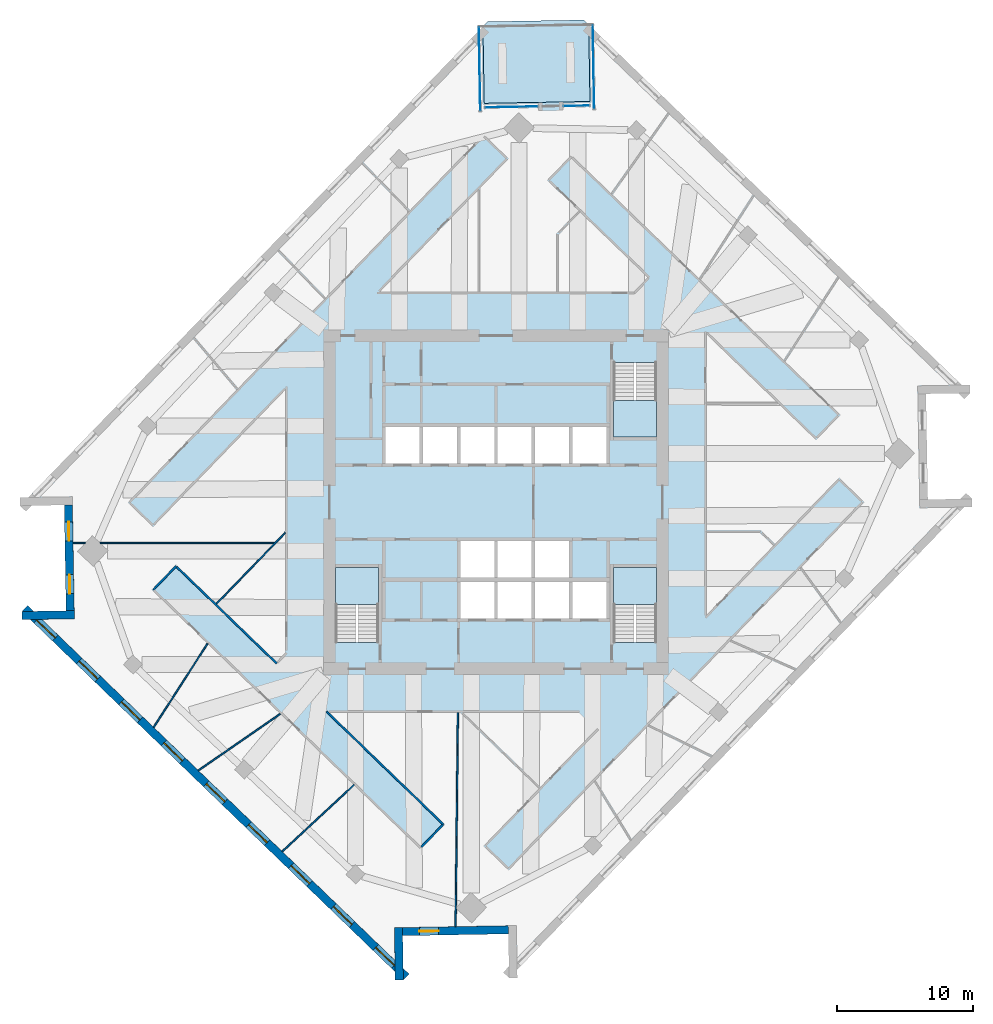
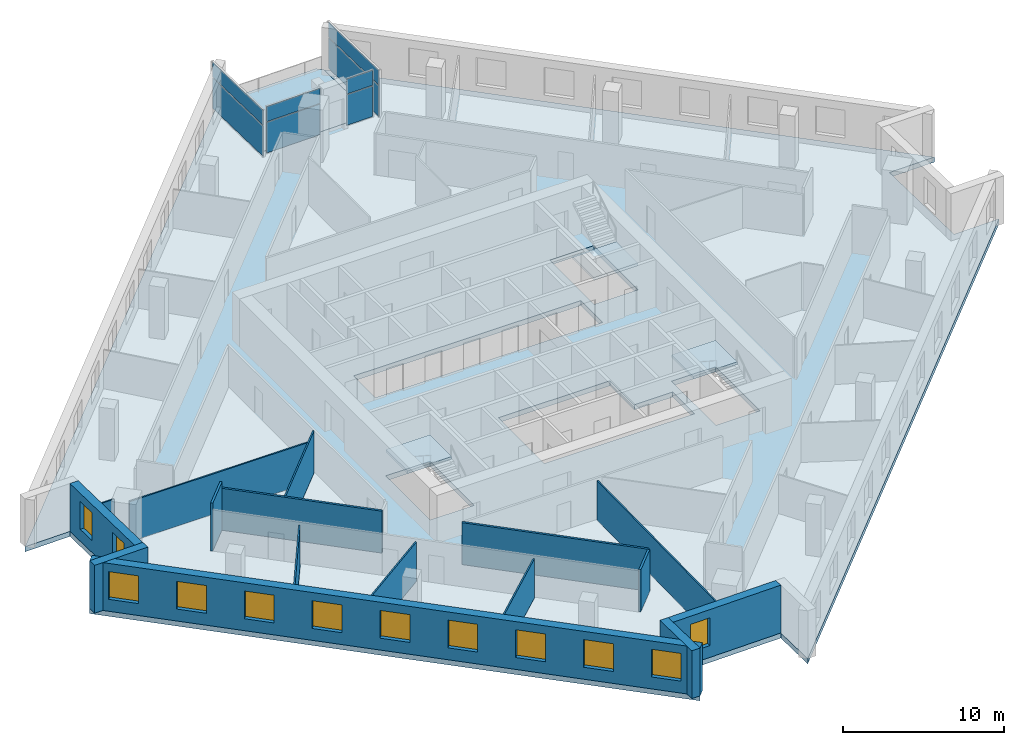
# One storey, part 5 of 13: 16 walls, 12 windows, 8 plates, 5 slabs, 12 openings, 7 elements without a shape of their own.
"""IFC4 building model written with IfcOpenShell, lengths in metres."""

from ifc_helpers import new_model, si_unit, direction, frame, frame_2d, origin, origin_2d, place, context, subcontext, project, spatial, polyline, rectangle, outline, extrude, material, layer, layer_set, type_object, element, fill, aggregate, save


model = new_model("IFC4")

# Units and contexts
model_context = context("Model", 3, precision=1e-05, world=origin(), true_north=direction((0.0, 1.0)))
body_context = subcontext(model_context, "Body", "Model", "MODEL_VIEW")
ifc_project = project(units=[si_unit("LENGTHUNIT", "METRE"), si_unit("AREAUNIT", "SQUARE_METRE"), si_unit("VOLUMEUNIT", "CUBIC_METRE"), si_unit("PLANEANGLEUNIT", "RADIAN"), si_unit("MASSUNIT", "GRAM", prefix="KILO")], contexts=[model_context])

# Site, building, storey
site_placement = place(None, origin())
site = spatial("IfcSite", under=ifc_project, at=site_placement, CompositionType="ELEMENT")
building_placement = place(site_placement, origin())
building = spatial("IfcBuilding", under=site, at=building_placement, Name="Dilmun Exchange Tower", CompositionType="ELEMENT")
storey_placement = place(building_placement, frame((0.0, 0.0, 213.300048828125)))
storey = spatial("IfcBuildingStorey", under=building, at=storey_placement, Name="L50", CompositionType="ELEMENT", Elevation=213.300048828125)

# Stair, slab
ifc_material_1 = material(Name="Concrete C40/50", Category="concrete")
stair_type = type_object("IfcStairType", Name="Exit stair 1500 half-turn", PredefinedType="HALF_TURN_STAIR", material=ifc_material_1)
stair_1_placement = place(storey_placement, origin())
stair_1 = element("IfcStair", 1, at=stair_1_placement, inside=storey, type_object=stair_type, Name="L50 Protected exit stair ST1", PredefinedType="HALF_TURN_STAIR")
ifc_layer_1 = layer(ifc_material_1, 0.199951171875)
ifc_layer_set_1 = layer_set([ifc_layer_1], Name="Concrete C40/50")
slab_type_1 = type_object("IfcSlabType", Name="Exit stair landing 200", PredefinedType="LANDING", material=ifc_layer_set_1)
slab_1_placement = place(storey_placement, frame((0.0, 0.0, 1.800048828125)))
slab_1 = element("IfcSlab", 2, at=slab_1_placement, type_object=slab_type_1, Name="ST1 landing 1", PredefinedType="LANDING", context=body_context, shape_type="SweptSolid", body=[
    extrude(outline(polyline([(8.64990234375, 7.5), (8.64990234375, 4.800048828125), (11.800048828125, 4.800048828125), (11.800048828125, 7.5), (8.64990234375, 7.5)])), origin(), (0.0, 0.0, 1.0), 0.199951171875),
])
aggregate(stair_1, [slab_1])

stair_2_placement = place(storey_placement, origin())
stair_2 = element("IfcStair", 3, at=stair_2_placement, inside=storey, type_object=stair_type, Name="L50 Protected exit stair ST2", PredefinedType="HALF_TURN_STAIR")
slab_2_placement = place(storey_placement, frame((0.0, 0.0, 1.800048828125)))
slab_2 = element("IfcSlab", 4, at=slab_2_placement, type_object=slab_type_1, Name="ST2 landing 1", PredefinedType="LANDING", context=body_context, shape_type="SweptSolid", body=[
    extrude(outline(polyline([(-8.64990234375, -7.5), (-8.64990234375, -4.800048828125), (-11.800048828125, -4.800048828125), (-11.800048828125, -7.5), (-8.64990234375, -7.5)])), origin(), (0.0, 0.0, 1.0), 0.199951171875),
])
aggregate(stair_2, [slab_2])

stair_3_placement = place(storey_placement, origin())
stair_3 = element("IfcStair", 5, at=stair_3_placement, inside=storey, type_object=stair_type, Name="L50 Protected exit stair ST3", PredefinedType="HALF_TURN_STAIR")
slab_3_placement = place(storey_placement, frame((0.0, 0.0, 1.800048828125)))
slab_3 = element("IfcSlab", 6, at=slab_3_placement, type_object=slab_type_1, Name="ST3 landing 1", PredefinedType="LANDING", context=body_context, shape_type="SweptSolid", body=[
    extrude(outline(polyline([(11.800048828125, -7.5), (11.800048828125, -4.800048828125), (8.64990234375, -4.800048828125), (8.64990234375, -7.5), (11.800048828125, -7.5)])), origin(), (0.0, 0.0, 1.0), 0.199951171875),
])
aggregate(stair_3, [slab_3])

# Curtain wall, plates
ifc_material_2 = material(Name="Anodised aluminium and clear glass", Category="aluminium")
curtain_wall_type = type_object("IfcCurtainWallType", Name="Garden corner glazing", PredefinedType="NOTDEFINED", material=ifc_material_2)
curtain_wall_1_placement = place(storey_placement, origin())
curtain_wall_1 = element("IfcCurtainWall", 7, at=curtain_wall_1_placement, inside=storey, type_object=curtain_wall_type, Name="Garden corner glazing run GC1.1", PredefinedType="NOTDEFINED")
ifc_material_3 = material(Name="Clear glass", Category="glass")
ifc_layer_2 = layer(ifc_material_3, 0.028076171875)
ifc_layer_set_2 = layer_set([ifc_layer_2], Name="Clear glass")
plate_type = type_object("IfcPlateType", Name="Garden corner glazing glass panel 28", PredefinedType="CURTAIN_PANEL", material=ifc_layer_set_2)
plate_1_placement = place(storey_placement, frame((7.1669921875, 32.008544921875, 0.059814453125), z_axis=(0.0, 0.0, 1.0), x_axis=(0.017449908501, -0.999847738755, 0.0)))
plate_1 = element("IfcPlate", 8, at=plate_1_placement, type_object=plate_type, Name="GC1.1 panel 1.1", PredefinedType="CURTAIN_PANEL", context=body_context, shape_type="SweptSolid", body=[
    extrude(rectangle(XDim=6.12646484375, YDim=0.028076171875, at=origin_2d()), origin(), (0.0, 0.0, 1.0), 2.31005859375),
])
plate_2_placement = place(storey_placement, frame((7.1669921875, 32.008544921875, 2.429931640625), z_axis=(0.0, 0.0, 1.0), x_axis=(0.017449908501, -0.999847738755, 0.0)))
plate_2 = element("IfcPlate", 9, at=plate_2_placement, type_object=plate_type, Name="GC1.1 panel 1.2", PredefinedType="CURTAIN_PANEL", context=body_context, shape_type="SweptSolid", body=[
    extrude(rectangle(XDim=6.12646484375, YDim=0.028076171875, at=origin_2d()), origin(), (0.0, 0.0, 1.0), 1.1298828125),
])
aggregate(curtain_wall_1, [plate_1, plate_2])

curtain_wall_2_placement = place(storey_placement, origin())
curtain_wall_2 = element("IfcCurtainWall", 10, at=curtain_wall_2_placement, inside=storey, type_object=curtain_wall_type, Name="Garden corner glazing run GC2.1", PredefinedType="NOTDEFINED")
plate_3_placement = place(storey_placement, frame((5.922119140625, 29.1630859375, 0.059814453125), z_axis=(0.0, 0.0, 1.0), x_axis=(-0.999847823501, -0.017445052024, 0.0)))
plate_3 = element("IfcPlate", 11, at=plate_3_placement, type_object=plate_type, Name="GC2.1 panel 1.1", PredefinedType="CURTAIN_PANEL", context=body_context, shape_type="SweptSolid", body=[
    extrude(rectangle(XDim=1.869140625, YDim=0.028076171875, at=origin_2d()), origin(), (0.0, 0.0, 1.0), 2.31005859375),
])
plate_4_placement = place(storey_placement, frame((5.922119140625, 29.1630859375, 2.429931640625), z_axis=(0.0, 0.0, 1.0), x_axis=(-0.999847823501, -0.017445052024, 0.0)))
plate_4 = element("IfcPlate", 12, at=plate_4_placement, type_object=plate_type, Name="GC2.1 panel 1.2", PredefinedType="CURTAIN_PANEL", context=body_context, shape_type="SweptSolid", body=[
    extrude(rectangle(XDim=1.869140625, YDim=0.028076171875, at=origin_2d()), origin(), (0.0, 0.0, 1.0), 1.1298828125),
])
aggregate(curtain_wall_2, [plate_3, plate_4])

curtain_wall_3_placement = place(storey_placement, origin())
curtain_wall_3 = element("IfcCurtainWall", 13, at=curtain_wall_3_placement, inside=storey, type_object=curtain_wall_type, Name="Garden corner glazing run GC2.3", PredefinedType="NOTDEFINED")
plate_5_placement = place(storey_placement, frame((1.133544921875, 29.07958984375, 0.059814453125), z_axis=(0.0, 0.0, 1.0), x_axis=(-0.999847342934, -0.017472573608, 0.0)))
plate_5 = element("IfcPlate", 14, at=plate_5_placement, type_object=plate_type, Name="GC2.3 panel 1.1", PredefinedType="CURTAIN_PANEL", context=body_context, shape_type="SweptSolid", body=[
    extrude(rectangle(XDim=3.869140625, YDim=0.028076171875, at=origin_2d()), origin(), (0.0, 0.0, 1.0), 2.31005859375),
])
plate_6_placement = place(storey_placement, frame((1.133544921875, 29.07958984375, 2.429931640625), z_axis=(0.0, 0.0, 1.0), x_axis=(-0.999847342934, -0.017472573608, 0.0)))
plate_6 = element("IfcPlate", 15, at=plate_6_placement, type_object=plate_type, Name="GC2.3 panel 1.2", PredefinedType="CURTAIN_PANEL", context=body_context, shape_type="SweptSolid", body=[
    extrude(rectangle(XDim=3.869140625, YDim=0.028076171875, at=origin_2d()), origin(), (0.0, 0.0, 1.0), 1.1298828125),
])
aggregate(curtain_wall_3, [plate_5, plate_6])

curtain_wall_4_placement = place(storey_placement, origin())
curtain_wall_4 = element("IfcCurtainWall", 16, at=curtain_wall_4_placement, inside=storey, type_object=curtain_wall_type, Name="Garden corner glazing run GC3.1", PredefinedType="NOTDEFINED")
plate_7_placement = place(storey_placement, frame((-1.209716796875, 31.8623046875, 0.059814453125), z_axis=(0.0, 0.0, 1.0), x_axis=(-0.017450187816, 0.99984773388, 0.0)))
plate_7 = element("IfcPlate", 17, at=plate_7_placement, type_object=plate_type, Name="GC3.1 panel 1.1", PredefinedType="CURTAIN_PANEL", context=body_context, shape_type="SweptSolid", body=[
    extrude(rectangle(XDim=6.12646484375, YDim=0.028076171875, at=origin_2d()), origin(), (0.0, 0.0, 1.0), 2.31005859375),
])
plate_8_placement = place(storey_placement, frame((-1.209716796875, 31.8623046875, 2.429931640625), z_axis=(0.0, 0.0, 1.0), x_axis=(-0.017450187816, 0.99984773388, 0.0)))
plate_8 = element("IfcPlate", 18, at=plate_8_placement, type_object=plate_type, Name="GC3.1 panel 1.2", PredefinedType="CURTAIN_PANEL", context=body_context, shape_type="SweptSolid", body=[
    extrude(rectangle(XDim=6.12646484375, YDim=0.028076171875, at=origin_2d()), origin(), (0.0, 0.0, 1.0), 1.1298828125),
])
aggregate(curtain_wall_4, [plate_7, plate_8])

# Slabs
ifc_layer_3 = layer(ifc_material_1, 0.3798828125)
ifc_layer_set_3 = layer_set([ifc_layer_3], Name="Concrete C40/50")
slab_type_2 = type_object("IfcSlabType", Name="RC floor slab 380", PredefinedType="FLOOR", material=ifc_layer_set_3)
slab_4_placement = place(storey_placement, frame((0.0, 0.0, -0.380126953125)))
element("IfcSlab", 19, at=slab_4_placement, inside=storey, type_object=slab_type_2, Name="Floor slab", PredefinedType="FLOOR", context=body_context, shape_type="SweptSolid", body=[
    extrude(outline(polyline([(31.620849609375, 7.977783203125), (31.756591796875, 0.20068359375), (35.002685546875, 0.25732421875), (0.96435546875, -34.990234375), (0.90771484375, -31.744384765625), (-6.869384765625, -31.880126953125), (-6.8125, -35.1259765625), (-34.866943359375, -8.034423828125), (-31.620849609375, -7.977783203125), (-31.756591796875, -0.20068359375), (-35.002685546875, -0.25732421875), (-0.96435546875, 34.990234375), (-0.86572265625, 29.3447265625), (6.9111328125, 29.48046875), (6.8125, 35.1259765625), (34.866943359375, 8.034423828125), (31.620849609375, 7.977783203125)]), holes=[polyline([(-8.64990234375, -4.800048828125), (-11.800048828125, -4.800048828125), (-11.800048828125, -10.294921875), (-8.64990234375, -10.294921875), (-8.64990234375, -4.800048828125)]), polyline([(11.800048828125, -4.800048828125), (8.64990234375, -4.800048828125), (8.64990234375, -10.294921875), (11.800048828125, -10.294921875), (11.800048828125, -4.800048828125)]), polyline([(5.375, -2.85009765625), (-2.625, -2.85009765625), (-2.625, -8.550048828125), (8.125, -8.550048828125), (8.125, -5.85009765625), (5.375, -5.85009765625), (5.375, -2.85009765625)]), polyline([(8.125, 2.85009765625), (8.125, 5.550048828125), (-8.125, 5.550048828125), (-8.125, 2.85009765625), (8.125, 2.85009765625)]), polyline([(8.64990234375, 10.294921875), (8.64990234375, 4.800048828125), (11.800048828125, 4.800048828125), (11.800048828125, 10.294921875), (8.64990234375, 10.294921875)])]), origin(), (0.0, 0.0, 1.0), 0.380126953125),
])
ifc_layer_4 = layer(ifc_material_1, 0.300048828125)
ifc_layer_set_4 = layer_set([ifc_layer_4], Name="Concrete C40/50")
slab_type_3 = type_object("IfcSlabType", Name="RC garden terrace slab 300", PredefinedType="FLOOR", material=ifc_layer_set_4)
slab_5_placement = place(storey_placement, frame((0.0, 0.0, -0.300048828125)))
element("IfcSlab", 20, at=slab_5_placement, inside=storey, type_object=slab_type_3, Name="Garden terrace slab", PredefinedType="FLOOR", context=body_context, shape_type="SweptSolid", body=[
    extrude(outline(polyline([(-0.86572265625, 29.3447265625), (-0.96435546875, 34.990234375), (-0.616943359375, 35.35009765625), (6.452880859375, 35.473388671875), (6.8125, 35.1259765625), (6.9111328125, 29.48046875), (-0.86572265625, 29.3447265625)])), origin(), (0.0, 0.0, 1.0), 0.300048828125),
])

# Walls
ifc_material_4 = material(Name="Corridor wall 150")
ifc_layer_5 = layer(ifc_material_4, 0.14990234375)
ifc_layer_set_5 = layer_set([ifc_layer_5], Name="Corridor wall 150")
wall_type_1 = type_object("IfcWallType", Name="Corridor wall 150", PredefinedType="PARTITIONING", material=ifc_layer_set_5)
wall_1_placement = place(storey_placement, frame((-25.205078125, -6.427001953125, 0.0), z_axis=(0.0, 0.0, 1.0), x_axis=(0.694688923552, 0.719310294305, 0.0)))
element("IfcWall", 21, at=wall_1_placement, inside=storey, type_object=wall_type_1, Name="Corridor wall", PredefinedType="PARTITIONING", context=body_context, shape_type="SweptSolid", body=[
    extrude(rectangle(XDim=2.399658203125, YDim=0.14990234375, at=frame_2d((1.19970703125, 0.0))), origin(), (0.0, 0.0, 1.0), 3.619873046875),
])
wall_2_placement = place(storey_placement, frame((-23.48388671875, -4.753173828125, 0.0), z_axis=(0.0, 0.0, 1.0), x_axis=(0.719330221059, -0.694668289956, 0.0)))
element("IfcWall", 22, at=wall_2_placement, inside=storey, type_object=wall_type_1, Name="Corridor wall", PredefinedType="PARTITIONING", context=body_context, shape_type="SweptSolid", body=[
    extrude(rectangle(XDim=10.21630859375, YDim=0.14990234375, at=frame_2d((5.108154296875, 0.0))), origin(), (0.0, 0.0, 1.0), 3.169921875),
])
wall_3_placement = place(storey_placement, frame((-12.458984375, -15.39990234375, 0.0), z_axis=(0.0, 0.0, 1.0), x_axis=(0.719357740032, -0.694639792883, 0.0)))
element("IfcWall", 23, at=wall_3_placement, inside=storey, type_object=wall_type_1, Name="Corridor wall", PredefinedType="PARTITIONING", context=body_context, shape_type="SweptSolid", body=[
    extrude(rectangle(XDim=11.931396484375, YDim=0.14990234375, at=frame_2d((5.9658203125, 0.0))), origin(), (0.0, 0.0, 1.0), 3.169921875),
])
wall_4_placement = place(storey_placement, frame((-5.490966796875, -25.360107421875, 0.0), z_axis=(0.0, 0.0, 1.0), x_axis=(0.694737811608, 0.719263076435, 0.0)))
element("IfcWall", 24, at=wall_4_placement, inside=storey, type_object=wall_type_1, Name="Corridor wall", PredefinedType="PARTITIONING", context=body_context, shape_type="SweptSolid", body=[
    extrude(rectangle(XDim=2.249755859375, YDim=0.14990234375, at=frame_2d((1.125, 0.0))), origin(), (0.0, 0.0, 1.0), 3.169921875),
])
ifc_material_5 = material(Name="Partition 100")
ifc_layer_6 = layer(ifc_material_5, 0.10009765625)
ifc_layer_set_6 = layer_set([ifc_layer_6], Name="Partition 100")
wall_type_2 = type_object("IfcWallType", Name="Partition 100", PredefinedType="PARTITIONING", material=ifc_layer_set_6)
wall_5_placement = place(storey_placement, frame((-31.105712890625, -2.9951171875, 0.0), z_axis=(0.0, 0.0, 1.0), x_axis=(1.0, 0.0, 0.0)))
element("IfcWall", 25, at=wall_5_placement, inside=storey, type_object=wall_type_2, Name="Partition", PredefinedType="PARTITIONING", context=body_context, shape_type="SweptSolid", body=[
    extrude(rectangle(XDim=0.900634765625, YDim=0.10009765625, at=frame_2d((0.4501953125, 0.0))), origin(), (0.0, 0.0, 1.0), 3.619873046875),
])
wall_6_placement = place(storey_placement, frame((-29.115478515625, -2.9951171875, 0.0), z_axis=(0.0, 0.0, 1.0), x_axis=(1.0, 0.0, 0.0)))
element("IfcWall", 26, at=wall_6_placement, inside=storey, type_object=wall_type_2, Name="Partition", PredefinedType="PARTITIONING", context=body_context, shape_type="SweptSolid", body=[
    extrude(rectangle(XDim=12.76171875, YDim=0.10009765625, at=frame_2d((6.380859375, 0.0))), origin(), (0.0, 0.0, 1.0), 3.050048828125),
])
wall_7_placement = place(storey_placement, frame((-25.181884765625, -16.55029296875, 0.0), z_axis=(0.0, 0.0, 1.0), x_axis=(0.541323767844, 0.84081423535, 0.0)))
element("IfcWall", 27, at=wall_7_placement, inside=storey, type_object=wall_type_2, Name="Partition", PredefinedType="PARTITIONING", context=body_context, shape_type="SweptSolid", body=[
    extrude(rectangle(XDim=7.3212890625, YDim=0.10009765625, at=frame_2d((3.66064453125, 0.0))), origin(), (0.0, 0.0, 1.0), 2.969970703125),
])
wall_8_placement = place(storey_placement, frame((-21.894287109375, -19.724853515625, 0.0), z_axis=(0.0, 0.0, 1.0), x_axis=(0.822893560883, 0.568195553887, 0.0)))
element("IfcWall", 28, at=wall_8_placement, inside=storey, type_object=wall_type_2, Name="Partition", PredefinedType="PARTITIONING", context=body_context, shape_type="SweptSolid", body=[
    extrude(rectangle(XDim=7.32421875, YDim=0.10009765625, at=frame_2d((3.662109375, 0.0))), origin(), (0.0, 0.0, 1.0), 2.969970703125),
])
wall_9_placement = place(storey_placement, frame((-20.559814453125, -7.47216796875, 0.0), z_axis=(0.0, 0.0, 1.0), x_axis=(0.694721601458, 0.719278733502, 0.0)))
element("IfcWall", 29, at=wall_9_placement, inside=storey, type_object=wall_type_2, Name="Partition", PredefinedType="PARTITIONING", context=body_context, shape_type="SweptSolid", body=[
    extrude(rectangle(XDim=7.267333984375, YDim=0.10009765625, at=frame_2d((3.6337890625, 0.0))), origin(), (0.0, 0.0, 1.0), 3.169921875),
])
wall_10_placement = place(storey_placement, frame((-15.722412109375, -25.68505859375, 0.0), z_axis=(0.0, 0.0, 1.0), x_axis=(0.732967408974, 0.680263755747, 0.0)))
element("IfcWall", 30, at=wall_10_placement, inside=storey, type_object=wall_type_2, Name="Partition", PredefinedType="PARTITIONING", context=body_context, shape_type="SweptSolid", body=[
    extrude(rectangle(XDim=7.19873046875, YDim=0.10009765625, at=frame_2d((3.599365234375, 0.0))), origin(), (0.0, 0.0, 1.0), 2.969970703125),
])
wall_11_placement = place(storey_placement, frame((-2.974609375, -31.2099609375, 0.0), z_axis=(0.0, 0.0, 1.0), x_axis=(0.010798774474, 0.999941691535, 0.0)))
element("IfcWall", 31, at=wall_11_placement, inside=storey, type_object=wall_type_2, Name="Partition", PredefinedType="PARTITIONING", context=body_context, shape_type="SweptSolid", body=[
    extrude(rectangle(XDim=15.7353515625, YDim=0.10009765625, at=frame_2d((7.86767578125, 0.0))), origin(), (0.0, 0.0, 1.0), 2.969970703125),
])

# Wall, openings, windows
ifc_material_6 = material(Name="Precast concrete C50/60", Category="concrete")
ifc_layer_7 = layer(ifc_material_6, 0.60009765625)
ifc_layer_set_7 = layer_set([ifc_layer_7], Name="Precast concrete C50/60")
wall_type_3 = type_object("IfcWallType", Name="Precast stone-clad wall 600", PredefinedType="STANDARD", material=ifc_layer_set_7)
wall_12_placement = place(storey_placement, frame((-31.456787109375, -0.195556640625, 0.0), z_axis=(0.0, 0.0, 1.0), x_axis=(0.017451978485, -0.999847702626, 0.0)))
wall_12 = element("IfcWall", 32, at=wall_12_placement, inside=storey, type_object=wall_type_3, Name="Facade wall L50-05", PredefinedType="STANDARD", context=body_context, shape_type="SweptSolid", body=[
    extrude(rectangle(XDim=7.778076171875, YDim=0.60009765625, at=frame_2d((3.88916015625, 0.0))), origin(), (0.0, 0.0, 1.0), 3.619873046875),
])
opening_1_placement = place(wall_12_placement, frame((1.244384765625, 0.0, 0.89990234375)))
opening_1 = element("IfcOpeningElement", 33, at=opening_1_placement, cuts=wall_12, Name="Opening W140-210", PredefinedType="OPENING", context=body_context, shape_type="SweptSolid", body=[
    extrude(rectangle(XDim=1.39990234375, YDim=2.10009765625, at=frame_2d((0.699951171875, 1.050048828125))), frame((0.0, 0.31005859375, 0.0), z_axis=(0.0, -1.0, 0.0), x_axis=(1.0, 0.0, 0.0)), (0.0, 0.0, 1.0), 0.6201171875),
])
opening_2_placement = place(wall_12_placement, frame((5.133544921875, 0.0, 0.89990234375)))
opening_2 = element("IfcOpeningElement", 34, at=opening_2_placement, cuts=wall_12, Name="Opening W140-210", PredefinedType="OPENING", context=body_context, shape_type="SweptSolid", body=[
    extrude(rectangle(XDim=1.39990234375, YDim=2.10009765625, at=frame_2d((0.699951171875, 1.050048828125))), frame((0.0, 0.31005859375, 0.0), z_axis=(0.0, -1.0, 0.0), x_axis=(1.0, 0.0, 0.0)), (0.0, 0.0, 1.0), 0.6201171875),
])
ifc_material_7 = material(Name="Clear low-emissivity glass in aluminium frame", Category="aluminium")
window_type_1 = type_object("IfcWindowType", Name="Punched window 1400 x 2100", PartitioningType="DOUBLE_PANEL_VERTICAL", PredefinedType="WINDOW", material=ifc_material_7)
window_1_placement = place(opening_1_placement, origin())
window_1 = element("IfcWindow", 35, at=window_1_placement, inside=storey, type_object=window_type_1, Name="Window 6.1", OverallHeight=2.10009765625, OverallWidth=1.39990234375, PartitioningType="SINGLE_PANEL", PredefinedType="WINDOW", context=body_context, shape_type="SweptSolid", body=[
    extrude(rectangle(XDim=1.39990234375, YDim=2.10009765625, at=frame_2d((0.699951171875, 1.050048828125))), frame((0.0, 0.030029296875, 0.0), z_axis=(0.0, -1.0, 0.0), x_axis=(1.0, 0.0, 0.0)), (0.0, 0.0, 1.0), 0.06005859375),
])
fill(opening_1, window_1)
window_2_placement = place(opening_2_placement, origin())
window_2 = element("IfcWindow", 36, at=window_2_placement, inside=storey, type_object=window_type_1, Name="Window 6.2", OverallHeight=2.10009765625, OverallWidth=1.39990234375, PartitioningType="SINGLE_PANEL", PredefinedType="WINDOW", context=body_context, shape_type="SweptSolid", body=[
    extrude(rectangle(XDim=1.39990234375, YDim=2.10009765625, at=frame_2d((0.699951171875, 1.050048828125))), frame((0.0, 0.030029296875, 0.0), z_axis=(0.0, -1.0, 0.0), x_axis=(1.0, 0.0, 0.0)), (0.0, 0.0, 1.0), 0.06005859375),
])
fill(opening_2, window_2)

# Wall
wall_13_placement = place(storey_placement, frame((-31.015869140625, -8.26708984375, 0.0), z_axis=(0.0, 0.0, 1.0), x_axis=(-0.999847642189, -0.017455440681, 0.0)))
element("IfcWall", 37, at=wall_13_placement, inside=storey, type_object=wall_type_3, Name="Facade wall L50-06", PredefinedType="STANDARD", context=body_context, shape_type="SweptSolid", body=[
    extrude(rectangle(XDim=3.84619140625, YDim=0.60009765625, at=frame_2d((1.923095703125, 0.0))), origin(), (0.0, 0.0, 1.0), 3.619873046875),
])

# Wall, openings, windows
wall_14_placement = place(storey_placement, frame((-34.658447265625, -7.818603515625, 0.0), z_axis=(0.0, 0.0, 1.0), x_axis=(0.719340729741, -0.694657408034, 0.0)))
wall_14 = element("IfcWall", 38, at=wall_14_placement, inside=storey, type_object=wall_type_3, Name="Facade wall L50-07", PredefinedType="STANDARD", context=body_context, shape_type="SweptSolid", body=[
    extrude(rectangle(XDim=38.999755859375, YDim=0.60009765625, at=frame_2d((19.5, 0.0))), origin(), (0.0, 0.0, 1.0), 3.619873046875),
])
opening_3_placement = place(wall_14_placement, frame((1.216796875, 0.0, 0.89990234375)))
opening_3 = element("IfcOpeningElement", 39, at=opening_3_placement, cuts=wall_14, Name="Opening W190-210", PredefinedType="OPENING", context=body_context, shape_type="SweptSolid", body=[
    extrude(rectangle(XDim=1.89990234375, YDim=2.10009765625, at=frame_2d((0.949951171875, 1.050048828125))), frame((0.0, 0.31005859375, 0.0), z_axis=(0.0, -1.0, 0.0), x_axis=(1.0, 0.0, 0.0)), (0.0, 0.0, 1.0), 0.6201171875),
])
opening_4_placement = place(wall_14_placement, frame((5.550048828125, 0.0, 0.89990234375)))
opening_4 = element("IfcOpeningElement", 40, at=opening_4_placement, cuts=wall_14, Name="Opening W190-210", PredefinedType="OPENING", context=body_context, shape_type="SweptSolid", body=[
    extrude(rectangle(XDim=1.89990234375, YDim=2.10009765625, at=frame_2d((0.949951171875, 1.050048828125))), frame((0.0, 0.31005859375, 0.0), z_axis=(0.0, -1.0, 0.0), x_axis=(1.0, 0.0, 0.0)), (0.0, 0.0, 1.0), 0.6201171875),
])
opening_5_placement = place(wall_14_placement, frame((9.88330078125, 0.0, 0.89990234375)))
opening_5 = element("IfcOpeningElement", 41, at=opening_5_placement, cuts=wall_14, Name="Opening W190-210", PredefinedType="OPENING", context=body_context, shape_type="SweptSolid", body=[
    extrude(rectangle(XDim=1.89990234375, YDim=2.10009765625, at=frame_2d((0.949951171875, 1.050048828125))), frame((0.0, 0.31005859375, 0.0), z_axis=(0.0, -1.0, 0.0), x_axis=(1.0, 0.0, 0.0)), (0.0, 0.0, 1.0), 0.6201171875),
])
opening_6_placement = place(wall_14_placement, frame((14.216796875, 0.0, 0.89990234375)))
opening_6 = element("IfcOpeningElement", 42, at=opening_6_placement, cuts=wall_14, Name="Opening W190-210", PredefinedType="OPENING", context=body_context, shape_type="SweptSolid", body=[
    extrude(rectangle(XDim=1.89990234375, YDim=2.10009765625, at=frame_2d((0.949951171875, 1.050048828125))), frame((0.0, 0.31005859375, 0.0), z_axis=(0.0, -1.0, 0.0), x_axis=(1.0, 0.0, 0.0)), (0.0, 0.0, 1.0), 0.6201171875),
])
opening_7_placement = place(wall_14_placement, frame((18.550048828125, 0.0, 0.89990234375)))
opening_7 = element("IfcOpeningElement", 43, at=opening_7_placement, cuts=wall_14, Name="Opening W190-210", PredefinedType="OPENING", context=body_context, shape_type="SweptSolid", body=[
    extrude(rectangle(XDim=1.89990234375, YDim=2.10009765625, at=frame_2d((0.949951171875, 1.050048828125))), frame((0.0, 0.31005859375, 0.0), z_axis=(0.0, -1.0, 0.0), x_axis=(1.0, 0.0, 0.0)), (0.0, 0.0, 1.0), 0.6201171875),
])
opening_8_placement = place(wall_14_placement, frame((22.88330078125, 0.0, 0.89990234375)))
opening_8 = element("IfcOpeningElement", 44, at=opening_8_placement, cuts=wall_14, Name="Opening W190-210", PredefinedType="OPENING", context=body_context, shape_type="SweptSolid", body=[
    extrude(rectangle(XDim=1.89990234375, YDim=2.10009765625, at=frame_2d((0.949951171875, 1.050048828125))), frame((0.0, 0.31005859375, 0.0), z_axis=(0.0, -1.0, 0.0), x_axis=(1.0, 0.0, 0.0)), (0.0, 0.0, 1.0), 0.6201171875),
])
opening_9_placement = place(wall_14_placement, frame((27.216796875, 0.0, 0.89990234375)))
opening_9 = element("IfcOpeningElement", 45, at=opening_9_placement, cuts=wall_14, Name="Opening W190-210", PredefinedType="OPENING", context=body_context, shape_type="SweptSolid", body=[
    extrude(rectangle(XDim=1.89990234375, YDim=2.10009765625, at=frame_2d((0.949951171875, 1.050048828125))), frame((0.0, 0.31005859375, 0.0), z_axis=(0.0, -1.0, 0.0), x_axis=(1.0, 0.0, 0.0)), (0.0, 0.0, 1.0), 0.6201171875),
])
opening_10_placement = place(wall_14_placement, frame((31.550048828125, 0.0, 0.89990234375)))
opening_10 = element("IfcOpeningElement", 46, at=opening_10_placement, cuts=wall_14, Name="Opening W190-210", PredefinedType="OPENING", context=body_context, shape_type="SweptSolid", body=[
    extrude(rectangle(XDim=1.89990234375, YDim=2.10009765625, at=frame_2d((0.949951171875, 1.050048828125))), frame((0.0, 0.31005859375, 0.0), z_axis=(0.0, -1.0, 0.0), x_axis=(1.0, 0.0, 0.0)), (0.0, 0.0, 1.0), 0.6201171875),
])
opening_11_placement = place(wall_14_placement, frame((35.88330078125, 0.0, 0.89990234375)))
opening_11 = element("IfcOpeningElement", 47, at=opening_11_placement, cuts=wall_14, Name="Opening W190-210", PredefinedType="OPENING", context=body_context, shape_type="SweptSolid", body=[
    extrude(rectangle(XDim=1.89990234375, YDim=2.10009765625, at=frame_2d((0.949951171875, 1.050048828125))), frame((0.0, 0.31005859375, 0.0), z_axis=(0.0, -1.0, 0.0), x_axis=(1.0, 0.0, 0.0)), (0.0, 0.0, 1.0), 0.6201171875),
])
window_type_2 = type_object("IfcWindowType", Name="Punched window 1900 x 2100", PartitioningType="DOUBLE_PANEL_VERTICAL", PredefinedType="WINDOW", material=ifc_material_7)
window_3_placement = place(opening_3_placement, origin())
window_3 = element("IfcWindow", 48, at=window_3_placement, inside=storey, type_object=window_type_2, Name="Window 8.1", OverallHeight=2.10009765625, OverallWidth=1.89990234375, PartitioningType="SINGLE_PANEL", PredefinedType="WINDOW", context=body_context, shape_type="SweptSolid", body=[
    extrude(rectangle(XDim=1.89990234375, YDim=2.10009765625, at=frame_2d((0.949951171875, 1.050048828125))), frame((0.0, 0.030029296875, 0.0), z_axis=(0.0, -1.0, 0.0), x_axis=(1.0, 0.0, 0.0)), (0.0, 0.0, 1.0), 0.06005859375),
])
fill(opening_3, window_3)
window_4_placement = place(opening_4_placement, origin())
window_4 = element("IfcWindow", 49, at=window_4_placement, inside=storey, type_object=window_type_2, Name="Window 8.2", OverallHeight=2.10009765625, OverallWidth=1.89990234375, PartitioningType="SINGLE_PANEL", PredefinedType="WINDOW", context=body_context, shape_type="SweptSolid", body=[
    extrude(rectangle(XDim=1.89990234375, YDim=2.10009765625, at=frame_2d((0.949951171875, 1.050048828125))), frame((0.0, 0.030029296875, 0.0), z_axis=(0.0, -1.0, 0.0), x_axis=(1.0, 0.0, 0.0)), (0.0, 0.0, 1.0), 0.06005859375),
])
fill(opening_4, window_4)
window_5_placement = place(opening_5_placement, origin())
window_5 = element("IfcWindow", 50, at=window_5_placement, inside=storey, type_object=window_type_2, Name="Window 8.3", OverallHeight=2.10009765625, OverallWidth=1.89990234375, PartitioningType="SINGLE_PANEL", PredefinedType="WINDOW", context=body_context, shape_type="SweptSolid", body=[
    extrude(rectangle(XDim=1.89990234375, YDim=2.10009765625, at=frame_2d((0.949951171875, 1.050048828125))), frame((0.0, 0.030029296875, 0.0), z_axis=(0.0, -1.0, 0.0), x_axis=(1.0, 0.0, 0.0)), (0.0, 0.0, 1.0), 0.06005859375),
])
fill(opening_5, window_5)
window_6_placement = place(opening_6_placement, origin())
window_6 = element("IfcWindow", 51, at=window_6_placement, inside=storey, type_object=window_type_2, Name="Window 8.4", OverallHeight=2.10009765625, OverallWidth=1.89990234375, PartitioningType="SINGLE_PANEL", PredefinedType="WINDOW", context=body_context, shape_type="SweptSolid", body=[
    extrude(rectangle(XDim=1.89990234375, YDim=2.10009765625, at=frame_2d((0.949951171875, 1.050048828125))), frame((0.0, 0.030029296875, 0.0), z_axis=(0.0, -1.0, 0.0), x_axis=(1.0, 0.0, 0.0)), (0.0, 0.0, 1.0), 0.06005859375),
])
fill(opening_6, window_6)
window_7_placement = place(opening_7_placement, origin())
window_7 = element("IfcWindow", 52, at=window_7_placement, inside=storey, type_object=window_type_2, Name="Window 8.5", OverallHeight=2.10009765625, OverallWidth=1.89990234375, PartitioningType="SINGLE_PANEL", PredefinedType="WINDOW", context=body_context, shape_type="SweptSolid", body=[
    extrude(rectangle(XDim=1.89990234375, YDim=2.10009765625, at=frame_2d((0.949951171875, 1.050048828125))), frame((0.0, 0.030029296875, 0.0), z_axis=(0.0, -1.0, 0.0), x_axis=(1.0, 0.0, 0.0)), (0.0, 0.0, 1.0), 0.06005859375),
])
fill(opening_7, window_7)
window_8_placement = place(opening_8_placement, origin())
window_8 = element("IfcWindow", 53, at=window_8_placement, inside=storey, type_object=window_type_2, Name="Window 8.6", OverallHeight=2.10009765625, OverallWidth=1.89990234375, PartitioningType="SINGLE_PANEL", PredefinedType="WINDOW", context=body_context, shape_type="SweptSolid", body=[
    extrude(rectangle(XDim=1.89990234375, YDim=2.10009765625, at=frame_2d((0.949951171875, 1.050048828125))), frame((0.0, 0.030029296875, 0.0), z_axis=(0.0, -1.0, 0.0), x_axis=(1.0, 0.0, 0.0)), (0.0, 0.0, 1.0), 0.06005859375),
])
fill(opening_8, window_8)
window_9_placement = place(opening_9_placement, origin())
window_9 = element("IfcWindow", 54, at=window_9_placement, inside=storey, type_object=window_type_2, Name="Window 8.7", OverallHeight=2.10009765625, OverallWidth=1.89990234375, PartitioningType="SINGLE_PANEL", PredefinedType="WINDOW", context=body_context, shape_type="SweptSolid", body=[
    extrude(rectangle(XDim=1.89990234375, YDim=2.10009765625, at=frame_2d((0.949951171875, 1.050048828125))), frame((0.0, 0.030029296875, 0.0), z_axis=(0.0, -1.0, 0.0), x_axis=(1.0, 0.0, 0.0)), (0.0, 0.0, 1.0), 0.06005859375),
])
fill(opening_9, window_9)
window_10_placement = place(opening_10_placement, origin())
window_10 = element("IfcWindow", 55, at=window_10_placement, inside=storey, type_object=window_type_2, Name="Window 8.8", OverallHeight=2.10009765625, OverallWidth=1.89990234375, PartitioningType="SINGLE_PANEL", PredefinedType="WINDOW", context=body_context, shape_type="SweptSolid", body=[
    extrude(rectangle(XDim=1.89990234375, YDim=2.10009765625, at=frame_2d((0.949951171875, 1.050048828125))), frame((0.0, 0.030029296875, 0.0), z_axis=(0.0, -1.0, 0.0), x_axis=(1.0, 0.0, 0.0)), (0.0, 0.0, 1.0), 0.06005859375),
])
fill(opening_10, window_10)
window_11_placement = place(opening_11_placement, origin())
window_11 = element("IfcWindow", 56, at=window_11_placement, inside=storey, type_object=window_type_2, Name="Window 8.9", OverallHeight=2.10009765625, OverallWidth=1.89990234375, PartitioningType="SINGLE_PANEL", PredefinedType="WINDOW", context=body_context, shape_type="SweptSolid", body=[
    extrude(rectangle(XDim=1.89990234375, YDim=2.10009765625, at=frame_2d((0.949951171875, 1.050048828125))), frame((0.0, 0.030029296875, 0.0), z_axis=(0.0, -1.0, 0.0), x_axis=(1.0, 0.0, 0.0)), (0.0, 0.0, 1.0), 0.06005859375),
])
fill(opening_11, window_11)

# Wall
wall_15_placement = place(storey_placement, frame((-7.112548828125, -35.13134765625, 0.0), z_axis=(0.0, 0.0, 1.0), x_axis=(-0.017454332947, 0.999847661527, 0.0)))
element("IfcWall", 57, at=wall_15_placement, inside=storey, type_object=wall_type_3, Name="Facade wall L50-08", PredefinedType="STANDARD", context=body_context, shape_type="SweptSolid", body=[
    extrude(rectangle(XDim=3.846435546875, YDim=0.60009765625, at=frame_2d((1.92333984375, 0.0))), origin(), (0.0, 0.0, 1.0), 3.619873046875),
])

# Wall, opening, window
wall_16_placement = place(storey_placement, frame((-6.87451171875, -31.580078125, 0.0), z_axis=(0.0, 0.0, 1.0), x_axis=(0.999847712186, 0.017451430795, 0.0)))
wall_16 = element("IfcWall", 58, at=wall_16_placement, inside=storey, type_object=wall_type_3, Name="Facade wall L50-09", PredefinedType="STANDARD", context=body_context, shape_type="SweptSolid", body=[
    extrude(rectangle(XDim=7.7783203125, YDim=0.60009765625, at=frame_2d((3.88916015625, 0.0))), origin(), (0.0, 0.0, 1.0), 3.619873046875),
])
opening_12_placement = place(wall_16_placement, frame((1.244384765625, 0.0, 0.89990234375)))
opening_12 = element("IfcOpeningElement", 59, at=opening_12_placement, cuts=wall_16, Name="Opening W140-210", PredefinedType="OPENING", context=body_context, shape_type="SweptSolid", body=[
    extrude(rectangle(XDim=1.39990234375, YDim=2.10009765625, at=frame_2d((0.699951171875, 1.050048828125))), frame((0.0, 0.31005859375, 0.0), z_axis=(0.0, -1.0, 0.0), x_axis=(1.0, 0.0, 0.0)), (0.0, 0.0, 1.0), 0.6201171875),
])
window_12_placement = place(opening_12_placement, origin())
window_12 = element("IfcWindow", 60, at=window_12_placement, inside=storey, type_object=window_type_1, Name="Window 10.1", OverallHeight=2.10009765625, OverallWidth=1.39990234375, PartitioningType="SINGLE_PANEL", PredefinedType="WINDOW", context=body_context, shape_type="SweptSolid", body=[
    extrude(rectangle(XDim=1.39990234375, YDim=2.10009765625, at=frame_2d((0.699951171875, 1.050048828125))), frame((0.0, 0.030029296875, 0.0), z_axis=(0.0, -1.0, 0.0), x_axis=(1.0, 0.0, 0.0)), (0.0, 0.0, 1.0), 0.06005859375),
])
fill(opening_12, window_12)

save(model, "model.ifc")
